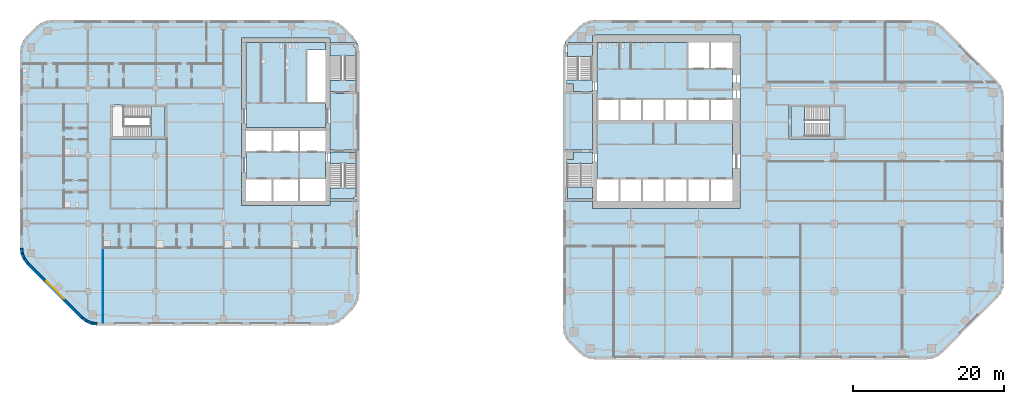
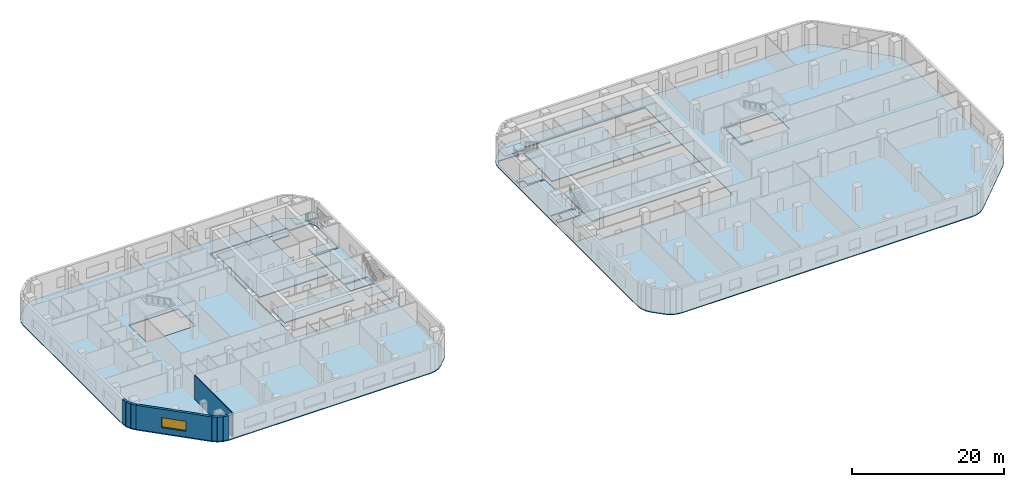
# One storey, part 4 of 16: 17 slabs, 8 walls, 1 window, 1 opening, 6 elements without a shape of their own.
"""IFC4 building model written with IfcOpenShell, lengths in metres."""

from ifc_helpers import new_model, si_unit, direction, frame, frame_2d, origin, place, context, subcontext, project, spatial, polyline, rectangle, outline, extrude, material, layer, layer_set, type_object, element, fill, aggregate, save


model = new_model("IFC4")

# Units and contexts
model_context = context("Model", 3, precision=1e-05, world=origin(), true_north=direction((0.0, 1.0)))
body_context = subcontext(model_context, "Body", "Model", "MODEL_VIEW")
ifc_project = project(units=[si_unit("LENGTHUNIT", "METRE"), si_unit("AREAUNIT", "SQUARE_METRE"), si_unit("VOLUMEUNIT", "CUBIC_METRE"), si_unit("PLANEANGLEUNIT", "RADIAN"), si_unit("MASSUNIT", "GRAM", prefix="KILO")], contexts=[model_context])

# Site, building, storey
site_placement = place(None, origin())
site = spatial("IfcSite", under=ifc_project, at=site_placement, CompositionType="ELEMENT")
building_placement = place(site_placement, origin())
building = spatial("IfcBuilding", under=site, at=building_placement, Name="Cinnabar Reach Civic Tower", CompositionType="ELEMENT")
storey_placement = place(building_placement, frame((0.0, 0.0, 30.0)))
storey = spatial("IfcBuildingStorey", under=building, at=storey_placement, Name="L06", CompositionType="ELEMENT", Elevation=30.0)

# Slabs
ifc_material_1 = material(Name="Concrete C40", Category="concrete")
ifc_layer_1 = layer(ifc_material_1, 0.15)
ifc_layer_set_1 = layer_set([ifc_layer_1], Name="Composite floor slab 150 REI 120")
slab_type_1 = type_object("IfcSlabType", Name="Composite floor slab 150 REI 120", PredefinedType="FLOOR", material=ifc_layer_set_1)
slab_1_placement = place(storey_placement, frame((0.0, 0.0, -0.15)))
element("IfcSlab", 1, at=slab_1_placement, inside=storey, type_object=slab_type_1, Name="Composite floor slab 150 T2 L06", PredefinedType="FLOOR", context=body_context, shape_type="SweptSolid", body=[
    extrude(outline(polyline([(-71.1213, 12.6213), (-71.5981, 13.2426), (-71.8978, 13.9662), (-72.0, 14.7426), (-72.0, 40.7574), (-71.8978, 41.5338), (-71.5981, 42.2574), (-71.1213, 42.8787), (-69.8787, 44.1213), (-69.2574, 44.5981), (-68.5338, 44.8978), (-67.7574, 45.0), (-31.2426, 45.0), (-30.4662, 44.8978), (-29.7426, 44.5981), (-29.1213, 44.1213), (-27.8787, 42.8787), (-27.4019, 42.2574), (-27.1022, 41.5338), (-27.0, 40.7574), (-27.0, 8.7426), (-27.1022, 7.9662), (-27.4019, 7.2426), (-27.8787, 6.6213), (-29.1213, 5.3787), (-29.7426, 4.9019), (-30.4662, 4.6022), (-31.2426, 4.5), (-61.7574, 4.5), (-62.5338, 4.6022), (-63.2574, 4.9019), (-63.8787, 5.3787), (-71.1213, 12.6213)]), holes=[polyline([(-30.9, 27.75), (-30.9, 35.25), (-27.36, 35.25), (-27.36, 40.7338), (-27.453, 41.4398), (-27.685, 42.0), (-30.9, 42.0), (-30.9, 42.6), (-42.6, 42.6), (-42.6, 20.4), (-30.9, 20.4), (-30.9, 21.0), (-27.36, 21.0), (-27.36, 27.75), (-30.9, 27.75)]), polyline([(-60.0, 33.75), (-60.0, 29.25), (-52.5, 29.25), (-52.5, 33.75), (-60.0, 33.75)])]), origin(), (0.0, 0.0, 1.0), 0.15),
])
ifc_layer_2 = layer(ifc_material_1, 0.15)
ifc_layer_set_2 = layer_set([ifc_layer_2], Name="Composite floor slab 150 REI 150")
slab_type_2 = type_object("IfcSlabType", Name="Composite floor slab 150 REI 150", PredefinedType="FLOOR", material=ifc_layer_set_2)
slab_2_placement = place(storey_placement, frame((0.0, 0.0, -0.15)))
element("IfcSlab", 2, at=slab_2_placement, inside=storey, type_object=slab_type_2, Name="Composite floor slab 150 T1 L06", PredefinedType="FLOOR", context=body_context, shape_type="SweptSolid", body=[
    extrude(outline(polyline([(0.8787, 2.1213), (0.4019, 2.7426), (0.1022, 3.4662), (0.0, 4.2426), (0.0, 40.7574), (0.1022, 41.5338), (0.4019, 42.2574), (0.8787, 42.8787), (2.1213, 44.1213), (2.7426, 44.5981), (3.4662, 44.8978), (4.2426, 45.0), (48.2574, 45.0), (49.0338, 44.8978), (49.7574, 44.5981), (50.3787, 44.1213), (57.6213, 36.8787), (58.0981, 36.2574), (58.3978, 35.5338), (58.5, 34.7574), (58.5, 10.2426), (58.3978, 9.4662), (58.0981, 8.7426), (57.6213, 8.1213), (50.3787, 0.8787), (49.7574, 0.4019), (49.0338, 0.1022), (48.2574, 0.0), (4.2426, 0.0), (3.4662, 0.1022), (2.7426, 0.4019), (2.1213, 0.8787), (0.8787, 2.1213)]), holes=[polyline([(0.36, 21.0), (3.9, 21.0), (3.9, 20.0), (23.5, 20.0), (23.5, 43.0), (3.9, 43.0), (3.9, 42.0), (0.685, 42.0), (0.453, 41.4398), (0.36, 40.7338), (0.36, 35.25), (3.9, 35.25), (3.9, 27.75), (0.36, 27.75), (0.36, 21.0)]), polyline([(30.0, 33.75), (30.0, 29.25), (37.5, 29.25), (37.5, 33.75), (30.0, 33.75)])]), origin(), (0.0, 0.0, 1.0), 0.15),
])

# Stair, slabs
ifc_material_2 = material(Name="Concrete C40/50", Category="concrete")
stair_type_1 = type_object("IfcStairType", Name="T1 Exit stair, half-turn", PredefinedType="HALF_TURN_STAIR", material=ifc_material_2)
stair_1_placement = place(storey_placement, origin())
stair_1 = element("IfcStair", 3, at=stair_1_placement, inside=storey, type_object=stair_type_1, Name="Stair T1-S1", PredefinedType="HALF_TURN_STAIR")
ifc_layer_3 = layer(ifc_material_2, 0.2)
ifc_layer_set_3 = layer_set([ifc_layer_3], Name="T1 Stair landing 200, Concrete C40/50")
slab_type_3 = type_object("IfcSlabType", Name="T1 Stair landing 200, Concrete C40/50", PredefinedType="LANDING", material=ifc_layer_set_3)
slab_3_placement = place(storey_placement, frame((0.0, 0.0, -0.2)))
slab_3 = element("IfcSlab", 4, at=slab_3_placement, type_object=slab_type_3, Name="T1-S1 landing 1", PredefinedType="LANDING", context=body_context, shape_type="SweptSolid", body=[
    extrude(outline(polyline([(3.9, 27.5), (3.9, 25.95), (0.5, 25.95), (0.5, 26.5), (1.4, 26.5), (1.4, 27.5), (3.9, 27.5)])), origin(), (0.0, 0.0, 1.0), 0.2),
])
slab_4_placement = place(storey_placement, frame((0.0, 0.0, 1.8)))
slab_4 = element("IfcSlab", 5, at=slab_4_placement, type_object=slab_type_3, Name="T1-S1 landing 2", PredefinedType="LANDING", context=body_context, shape_type="SweptSolid", body=[
    extrude(outline(polyline([(0.6, 21.25), (0.6, 22.87), (3.9, 22.87), (3.9, 21.25), (0.6, 21.25)])), origin(), (0.0, 0.0, 1.0), 0.2),
])
aggregate(stair_1, [slab_3, slab_4])

stair_2_placement = place(storey_placement, origin())
stair_2 = element("IfcStair", 6, at=stair_2_placement, inside=storey, type_object=stair_type_1, Name="Stair T1-S2", PredefinedType="HALF_TURN_STAIR")
slab_5_placement = place(storey_placement, frame((0.0, 0.0, -0.2)))
slab_5 = element("IfcSlab", 7, at=slab_5_placement, type_object=slab_type_3, Name="T1-S2 landing 1", PredefinedType="LANDING", context=body_context, shape_type="SweptSolid", body=[
    extrude(outline(polyline([(0.5, 37.05), (3.9, 37.05), (3.9, 35.5), (1.4, 35.5), (1.4, 36.5), (0.5, 36.5), (0.5, 37.05)])), origin(), (0.0, 0.0, 1.0), 0.2),
])
slab_6_placement = place(storey_placement, frame((0.0, 0.0, 1.8)))
slab_6 = element("IfcSlab", 8, at=slab_6_placement, type_object=slab_type_3, Name="T1-S2 landing 2", PredefinedType="LANDING", context=body_context, shape_type="SweptSolid", body=[
    extrude(outline(polyline([(0.6, 40.13), (0.6, 41.75), (3.9, 41.75), (3.9, 40.13), (0.6, 40.13)])), origin(), (0.0, 0.0, 1.0), 0.2),
])
aggregate(stair_2, [slab_5, slab_6])

stair_3_placement = place(storey_placement, origin())
stair_3 = element("IfcStair", 9, at=stair_3_placement, inside=storey, type_object=stair_type_1, Name="Stair T1-S3", PredefinedType="HALF_TURN_STAIR")
slab_7_placement = place(storey_placement, frame((0.0, 0.0, -0.2)))
slab_7 = element("IfcSlab", 10, at=slab_7_placement, type_object=slab_type_3, Name="T1-S3 landing 1", PredefinedType="LANDING", context=body_context, shape_type="SweptSolid", body=[
    extrude(outline(polyline([(30.25, 29.5), (32.05, 29.5), (32.05, 33.5), (30.25, 33.5), (30.25, 29.5)])), origin(), (0.0, 0.0, 1.0), 0.2),
])
slab_8_placement = place(storey_placement, frame((0.0, 0.0, 1.8)))
slab_8 = element("IfcSlab", 11, at=slab_8_placement, type_object=slab_type_3, Name="T1-S3 landing 2", PredefinedType="LANDING", context=body_context, shape_type="SweptSolid", body=[
    extrude(outline(polyline([(35.35, 29.5), (37.25, 29.5), (37.25, 33.5), (35.35, 33.5), (35.35, 29.5)])), origin(), (0.0, 0.0, 1.0), 0.2),
])
aggregate(stair_3, [slab_7, slab_8])

# Slabs
ifc_layer_4 = layer(ifc_material_2, 0.15)
ifc_layer_set_4 = layer_set([ifc_layer_4], Name="T1 core floor slab 150")
slab_type_4 = type_object("IfcSlabType", Name="T1 core floor slab 150", PredefinedType="FLOOR", material=ifc_layer_set_4)
slab_9_placement = place(storey_placement, frame((0.0, 0.0, -0.15)))
element("IfcSlab", 12, at=slab_9_placement, inside=storey, type_object=slab_type_4, Name="Core floor slab L06", PredefinedType="FLOOR", context=body_context, shape_type="SweptSolid", body=[
    extrude(outline(polyline([(22.5, 24.0), (19.5, 24.0), (16.5, 24.0), (13.5, 24.0), (10.5, 24.0), (7.5, 24.0), (4.5, 24.0), (4.5, 31.5), (7.5, 31.5), (10.5, 31.5), (13.5, 31.5), (16.5, 31.5), (19.5, 31.5), (22.5, 31.5), (22.5, 24.0)])), origin(), (0.0, 0.0, 1.0), 0.15),
])
slab_10_placement = place(storey_placement, frame((0.0, 0.0, -0.15)))
element("IfcSlab", 13, at=slab_10_placement, inside=storey, type_object=slab_type_4, Name="Core floor slab L06", PredefinedType="FLOOR", context=body_context, shape_type="SweptSolid", body=[
    extrude(outline(polyline([(22.5, 34.5), (19.5, 34.5), (16.5, 34.5), (13.5, 34.5), (10.5, 34.5), (7.5, 34.5), (4.5, 34.5), (4.5, 42.0), (16.5, 42.0), (16.5, 38.5), (19.5, 38.5), (22.5, 38.5), (22.5, 34.5)])), origin(), (0.0, 0.0, 1.0), 0.15),
])
ifc_layer_5 = layer(ifc_material_1, 0.15)
ifc_layer_set_5 = layer_set([ifc_layer_5], Name="T2 Core floor slab 150")
slab_type_5 = type_object("IfcSlabType", Name="T2 Core floor slab 150", PredefinedType="FLOOR", material=ifc_layer_set_5)
slab_11_placement = place(storey_placement, frame((0.0, 0.0, -0.15)))
element("IfcSlab", 14, at=slab_11_placement, inside=storey, type_object=slab_type_5, Name="Core floor slab L06", PredefinedType="FLOOR", context=body_context, shape_type="SweptSolid", body=[
    extrude(outline(polyline([(-42.0, 42.0), (-31.5, 42.0), (-31.5, 41.0), (-34.0, 41.0), (-34.0, 34.0), (-31.5, 34.0), (-31.5, 30.75), (-42.0, 30.75), (-42.0, 42.0)])), origin(), (0.0, 0.0, 1.0), 0.15),
])
slab_12_placement = place(storey_placement, frame((0.0, 0.0, -0.15)))
element("IfcSlab", 15, at=slab_12_placement, inside=storey, type_object=slab_type_5, Name="Core floor slab L06", PredefinedType="FLOOR", context=body_context, shape_type="SweptSolid", body=[
    extrude(outline(polyline([(-35.0, 24.0), (-38.5, 24.0), (-42.0, 24.0), (-42.0, 27.5), (-38.5, 27.5), (-35.0, 27.5), (-31.5, 27.5), (-31.5, 24.0), (-35.0, 24.0)])), origin(), (0.0, 0.0, 1.0), 0.15),
])

# Stair, slabs
stair_type_2 = type_object("IfcStairType", Name="T2 Exit stair 1500", PredefinedType="HALF_TURN_STAIR", material=ifc_material_1)
stair_4_placement = place(storey_placement, origin())
stair_4 = element("IfcStair", 16, at=stair_4_placement, inside=storey, type_object=stair_type_2, Name="Exit stair 1", PredefinedType="HALF_TURN_STAIR")
ifc_layer_6 = layer(ifc_material_1, 0.2)
ifc_layer_set_6 = layer_set([ifc_layer_6], Name="T2 Stair landing 200")
slab_type_6 = type_object("IfcSlabType", Name="T2 Stair landing 200", PredefinedType="LANDING", material=ifc_layer_set_6)
slab_13_placement = place(storey_placement, frame((0.0, 0.0, -0.2)))
slab_13 = element("IfcSlab", 17, at=slab_13_placement, type_object=slab_type_6, Name="ST1 landing 1", PredefinedType="LANDING", context=body_context, shape_type="SweptSolid", body=[
    extrude(outline(polyline([(-30.9, 26.0), (-30.9, 27.5), (-27.4, 27.5), (-27.4, 26.0), (-30.9, 26.0)])), origin(), (0.0, 0.0, 1.0), 0.2),
])
slab_14_placement = place(storey_placement, frame((0.0, 0.0, 1.8)))
slab_14 = element("IfcSlab", 18, at=slab_14_placement, type_object=slab_type_6, Name="ST1 landing 2", PredefinedType="LANDING", context=body_context, shape_type="SweptSolid", body=[
    extrude(outline(polyline([(-30.9, 21.25), (-30.9, 22.75), (-27.4, 22.75), (-27.4, 21.55), (-27.7, 21.55), (-27.7, 21.25), (-30.9, 21.25)])), origin(), (0.0, 0.0, 1.0), 0.2),
])
aggregate(stair_4, [slab_13, slab_14])

stair_5_placement = place(storey_placement, origin())
stair_5 = element("IfcStair", 19, at=stair_5_placement, inside=storey, type_object=stair_type_2, Name="Exit stair 2", PredefinedType="HALF_TURN_STAIR")
slab_15_placement = place(storey_placement, frame((0.0, 0.0, -0.2)))
slab_15 = element("IfcSlab", 20, at=slab_15_placement, type_object=slab_type_6, Name="ST2 landing 1", PredefinedType="LANDING", context=body_context, shape_type="SweptSolid", body=[
    extrude(outline(polyline([(-30.9, 35.5), (-30.9, 37.0), (-27.4, 37.0), (-27.4, 35.5), (-30.9, 35.5)])), origin(), (0.0, 0.0, 1.0), 0.2),
])
slab_16_placement = place(storey_placement, frame((0.0, 0.0, 1.8)))
slab_16 = element("IfcSlab", 21, at=slab_16_placement, type_object=slab_type_6, Name="ST2 landing 2", PredefinedType="LANDING", context=body_context, shape_type="SweptSolid", body=[
    extrude(outline(polyline([(-27.4, 40.25), (-30.9, 40.25), (-30.9, 41.75), (-27.7, 41.75), (-27.7, 41.45), (-27.4, 41.45), (-27.4, 40.25)])), origin(), (0.0, 0.0, 1.0), 0.2),
])
aggregate(stair_5, [slab_15, slab_16])

# Stair, slab
stair_6_placement = place(storey_placement, origin())
stair_6 = element("IfcStair", 22, at=stair_6_placement, inside=storey, type_object=stair_type_2, Name="Exit stair 3", PredefinedType="HALF_TURN_STAIR")
slab_17_placement = place(storey_placement, frame((0.0, 0.0, 1.8)))
slab_17 = element("IfcSlab", 23, at=slab_17_placement, type_object=slab_type_6, Name="ST3 landing 2", PredefinedType="LANDING", context=body_context, shape_type="SweptSolid", body=[
    extrude(outline(polyline([(-54.65, 29.375), (-54.65, 33.625), (-52.75, 33.625), (-52.75, 29.375), (-54.65, 29.375)])), origin(), (0.0, 0.0, 1.0), 0.2),
])
aggregate(stair_6, [slab_17])

# Walls
ifc_material_3 = material(Name="Facing brick with insulated backing", Category="masonry")
ifc_layer_7 = layer(ifc_material_3, 0.36)
ifc_layer_set_7 = layer_set([ifc_layer_7], Name="Brick corner wall")
wall_type_1 = type_object("IfcWallType", Name="Brick corner wall", PredefinedType="STANDARD", material=ifc_layer_set_7)
for number, where, z_axis, x_axis, name in (
    (24, (-71.817, 14.7314, 0.0), (0.0, 0.0, 1.0), (0.13055608231, -0.99144092581, 0.0), "Brick corner wall"),
    (25, (-71.7181, 14.0027, 0.0), (0.0, 0.0, 1.0), (0.382702709855, -0.923871547278, 0.0), "Brick corner wall"),
):
    element("IfcWall", number, at=place(storey_placement, frame(where, z_axis=z_axis, x_axis=x_axis)), inside=storey, type_object=wall_type_1, Name=name, PredefinedType="STANDARD", context=body_context, shape_type="SweptSolid", body=[
        extrude(rectangle(XDim=0.7131, YDim=0.36, at=frame_2d((0.3565, 0.0))), origin(), (0.0, 0.0, 1.0), 3.85),
    ])
for number, where, z_axis, x_axis, name in (
    (26, (-71.434, 13.3245, 0.0), (0.0, 0.0, 1.0), (0.608802368033, -0.793321924995, 0.0), "Brick corner wall"),
    (27, (-63.7413, 5.5002, 0.0), (0.0, 0.0, 1.0), (0.793321924995, -0.608802368033, 0.0), "Brick corner wall"),
):
    element("IfcWall", number, at=place(storey_placement, frame(where, z_axis=z_axis, x_axis=x_axis)), inside=storey, type_object=wall_type_1, Name=name, PredefinedType="STANDARD", context=body_context, shape_type="SweptSolid", body=[
        extrude(rectangle(XDim=0.7132, YDim=0.36, at=frame_2d((0.3566, 0.0))), origin(), (0.0, 0.0, 1.0), 3.85),
    ])
for number, where, z_axis, x_axis, name in (
    (28, (-63.1561, 5.0548, 0.0), (0.0, 0.0, 1.0), (0.923871547278, -0.382702709855, 0.0), "Brick corner wall"),
    (29, (-62.4756, 4.7761, 0.0), (0.0, 0.0, 1.0), (0.99144092581, -0.13055608231, 0.0), "Brick corner wall"),
):
    element("IfcWall", number, at=place(storey_placement, frame(where, z_axis=z_axis, x_axis=x_axis)), inside=storey, type_object=wall_type_1, Name=name, PredefinedType="STANDARD", context=body_context, shape_type="SweptSolid", body=[
        extrude(rectangle(XDim=0.7131, YDim=0.36, at=frame_2d((0.3565, 0.0))), origin(), (0.0, 0.0, 1.0), 3.85),
    ])

# Wall, opening, window
ifc_layer_8 = layer(ifc_material_3, 0.36)
ifc_layer_set_8 = layer_set([ifc_layer_8], Name="Brick pier and spandrel wall")
wall_type_2 = type_object("IfcWallType", Name="Brick pier and spandrel wall", PredefinedType="STANDARD", material=ifc_layer_set_8)
wall_1_placement = place(storey_placement, frame((-70.994, 12.7486, 0.0), z_axis=(0.0, 0.0, 1.0), x_axis=(0.707106781187, -0.707106781187, 0.0)))
wall_1 = element("IfcWall", 30, at=wall_1_placement, inside=storey, type_object=wall_type_2, Name="Brick facade wall", PredefinedType="STANDARD", context=body_context, shape_type="SweptSolid", body=[
    extrude(rectangle(XDim=10.2426, YDim=0.36, at=frame_2d((5.1213, 0.0))), origin(), (0.0, 0.0, 1.0), 3.85),
])
opening_placement = place(wall_1_placement, frame((3.4713, 0.0, 0.9)))
opening = element("IfcOpeningElement", 31, at=opening_placement, cuts=wall_1, Name="Opening W2393", PredefinedType="OPENING", context=body_context, shape_type="SweptSolid", body=[
    extrude(rectangle(XDim=3.3, YDim=1.6, at=frame_2d((1.65, 0.8))), frame((0.0, 0.19, 0.0), z_axis=(0.0, -1.0, 0.0), x_axis=(1.0, 0.0, 0.0)), (0.0, 0.0, 1.0), 0.38),
])
ifc_material_4 = material(Name="Clear double glazing in aluminium frame", Category="aluminium")
window_type = type_object("IfcWindowType", Name="Deep-set window A", PartitioningType="SINGLE_PANEL", PredefinedType="WINDOW", material=ifc_material_4)
window_placement = place(opening_placement, origin())
window = element("IfcWindow", 32, at=window_placement, inside=storey, type_object=window_type, Name="Window southwest face", OverallHeight=1.6, OverallWidth=3.3, PartitioningType="SINGLE_PANEL", PredefinedType="WINDOW", context=body_context, shape_type="SweptSolid", body=[
    extrude(rectangle(XDim=3.3, YDim=1.6, at=frame_2d((1.65, 0.8))), frame((0.0, 0.13, 0.0), z_axis=(0.0, -1.0, 0.0), x_axis=(1.0, 0.0, 0.0)), (0.0, 0.0, 1.0), 0.06),
])
fill(opening, window)

# Wall
ifc_material_5 = material(Name="Gypsum board on steel studs", Category="steel")
ifc_layer_9 = layer(ifc_material_5, 0.1)
ifc_layer_set_9 = layer_set([ifc_layer_9], Name="Partition wall 100 T2")
wall_type_3 = type_object("IfcWallType", Name="Partition wall 100 T2", PredefinedType="PARTITIONING", material=ifc_layer_set_9)
wall_2_placement = place(storey_placement, frame((-61.0, 4.86, 0.0), z_axis=(0.0, 0.0, 1.0), x_axis=(0.0, 1.0, 0.0)))
element("IfcWall", 33, at=wall_2_placement, inside=storey, type_object=wall_type_3, Name="Partition wall 38", PredefinedType="PARTITIONING", context=body_context, shape_type="SweptSolid", body=[
    extrude(rectangle(XDim=9.89, YDim=0.1, at=frame_2d((4.945, 0.0))), origin(), (0.0, 0.0, 1.0), 3.85),
])

save(model, "model.ifc")
